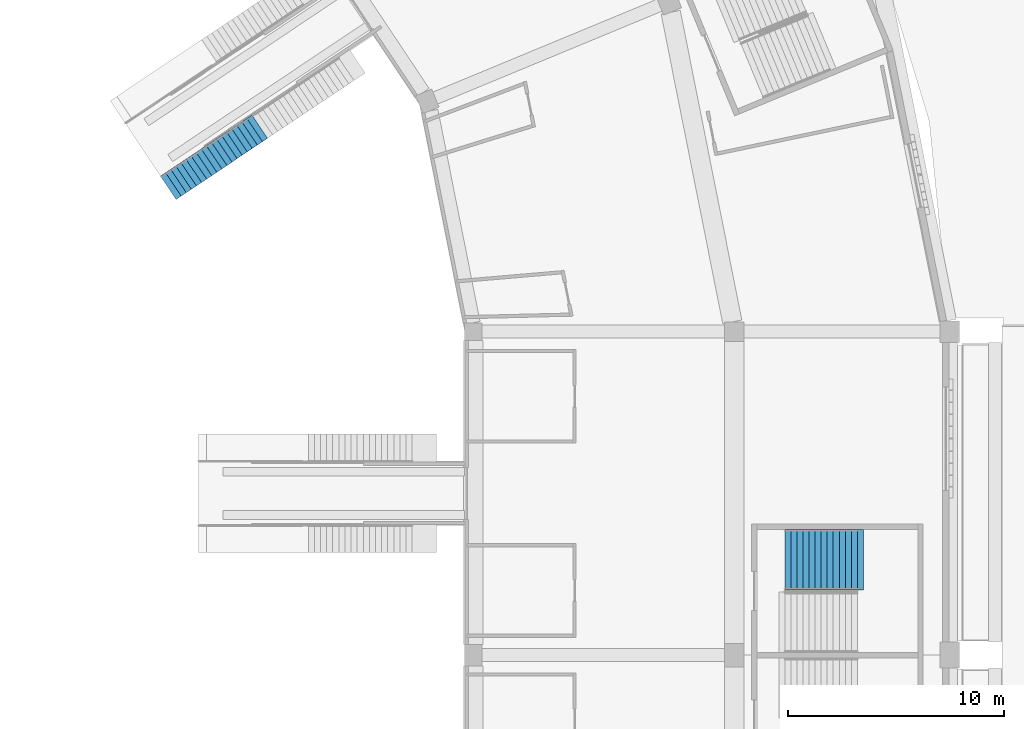
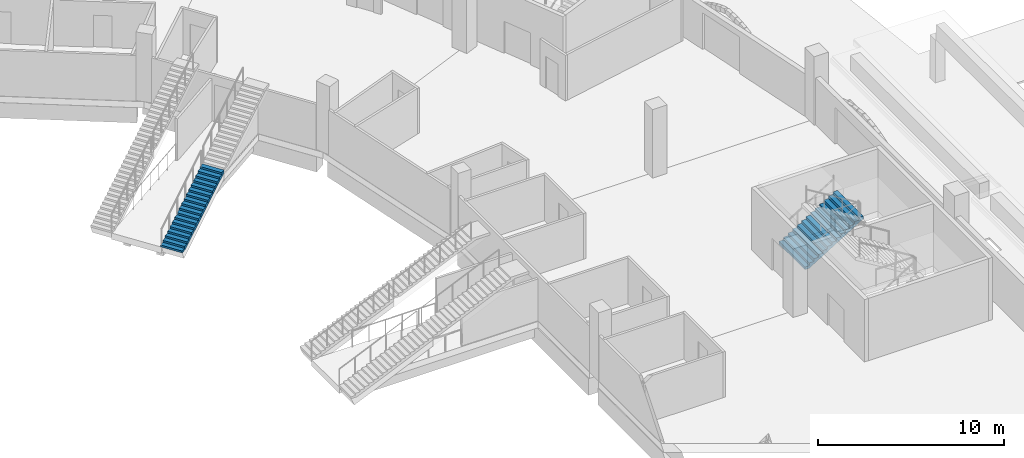
# One storey, part 144 of 175: 2 stair flights, 2 elements without a shape of their own.
"""IFC4 building model written with IfcOpenShell, lengths in metres."""

from ifc_helpers import new_model, si_unit, direction, frame, origin, place, context, subcontext, project, spatial, faceted_brep, material, type_object, element, aggregate, save


model = new_model("IFC4")

# Units and contexts
model_context = context("Model", 3, precision=1e-05, world=origin(), true_north=direction((0.0, 1.0)))
body_context = subcontext(model_context, "Body", "Model", "MODEL_VIEW")
ifc_project = project(units=[si_unit("LENGTHUNIT", "METRE"), si_unit("AREAUNIT", "SQUARE_METRE"), si_unit("VOLUMEUNIT", "CUBIC_METRE"), si_unit("PLANEANGLEUNIT", "RADIAN"), si_unit("MASSUNIT", "GRAM", prefix="KILO")], contexts=[model_context])

# Site, building, storey
site_placement = place(None, origin())
site = spatial("IfcSite", under=ifc_project, at=site_placement, CompositionType="ELEMENT")
building_placement = place(site_placement, origin())
building = spatial("IfcBuilding", under=site, at=building_placement, Name="Ogive Plaza Stadium", CompositionType="ELEMENT")
storey_placement = place(building_placement, origin())
storey = spatial("IfcBuildingStorey", under=building, at=storey_placement, Name="L00", CompositionType="ELEMENT", Elevation=0.0)

# Stair, stair flight
ifc_material_1 = material(Name="Concrete C40/50", Category="concrete")
stair_type_1 = type_object("IfcStairType", Name="Aisle stair", PredefinedType="STRAIGHT_RUN_STAIR", material=ifc_material_1)
stair_1_placement = place(storey_placement, origin())
stair_1 = element("IfcStair", 1, at=stair_1_placement, inside=storey, type_object=stair_type_1, Name="Aisle stair SA39L", PredefinedType="STRAIGHT_RUN_STAIR")
ifc_material_2 = material(Name="Concrete C40/50", Category="concrete")
stair_flight_type_1 = type_object("IfcStairFlightType", Name="Aisle stair flight", PredefinedType="STRAIGHT", material=ifc_material_2)
stair_flight_1_placement = place(storey_placement, frame((47.763427734375, 59.1708984375, 0.0), z_axis=(0.0, 0.0, 1.0), x_axis=(0.831469612303, 0.55557023302, 0.0)))
stair_flight_1 = element("IfcStairFlight", 2, at=stair_flight_1_placement, type_object=stair_flight_type_1, Name="SA39L flight 1", NumberOfRisers=18, NumberOfTreads=17, PredefinedType="STRAIGHT", RiserHeight=0.125, TreadLength=0.283333333, context=body_context, shape_type="Brep", body=[
    faceted_brep([(0.371337890625, -0.64990234375, 0.0), (5.10009765625, -0.64990234375, 2.086181640625), (5.10009765625, -0.64990234375, 2.25), (4.816650390625, -0.64990234375, 2.25), (4.816650390625, -0.64990234375, 2.125), (4.533447265625, -0.64990234375, 2.125), (4.533447265625, -0.64990234375, 2.0), (4.25, -0.64990234375, 2.0), (4.25, -0.64990234375, 1.875), (3.966552734375, -0.64990234375, 1.875), (3.966552734375, -0.64990234375, 1.75), (3.683349609375, -0.64990234375, 1.75), (3.683349609375, -0.64990234375, 1.625), (3.39990234375, -0.64990234375, 1.625), (3.39990234375, -0.64990234375, 1.5), (3.11669921875, -0.64990234375, 1.5), (3.11669921875, -0.64990234375, 1.375), (2.833251953125, -0.64990234375, 1.375), (2.833251953125, -0.64990234375, 1.25), (2.550048828125, -0.64990234375, 1.25), (2.550048828125, -0.64990234375, 1.125), (2.2666015625, -0.64990234375, 1.125), (2.2666015625, -0.64990234375, 1.0), (1.9833984375, -0.64990234375, 1.0), (1.9833984375, -0.64990234375, 0.875), (1.699951171875, -0.64990234375, 0.875), (1.699951171875, -0.64990234375, 0.75), (1.416748046875, -0.64990234375, 0.75), (1.416748046875, -0.64990234375, 0.625), (1.13330078125, -0.64990234375, 0.625), (1.13330078125, -0.64990234375, 0.5), (0.85009765625, -0.64990234375, 0.5), (0.85009765625, -0.64990234375, 0.375), (0.566650390625, -0.64990234375, 0.375), (0.566650390625, -0.64990234375, 0.25), (0.283447265625, -0.64990234375, 0.25), (0.283447265625, -0.64990234375, 0.125), (0.0, -0.64990234375, 0.125), (0.0, -0.64990234375, 0.0), (0.0, 0.64990234375, 0.0), (0.0, 0.64990234375, 0.125), (0.283447265625, 0.64990234375, 0.125), (0.283447265625, 0.64990234375, 0.25), (0.566650390625, 0.64990234375, 0.25), (0.566650390625, 0.64990234375, 0.375), (0.85009765625, 0.64990234375, 0.375), (0.85009765625, 0.64990234375, 0.5), (1.13330078125, 0.64990234375, 0.5), (1.13330078125, 0.64990234375, 0.625), (1.416748046875, 0.64990234375, 0.625), (1.416748046875, 0.64990234375, 0.75), (1.699951171875, 0.64990234375, 0.75), (1.699951171875, 0.64990234375, 0.875), (1.9833984375, 0.64990234375, 0.875), (1.9833984375, 0.64990234375, 1.0), (2.2666015625, 0.64990234375, 1.0), (2.2666015625, 0.64990234375, 1.125), (2.550048828125, 0.64990234375, 1.125), (2.550048828125, 0.64990234375, 1.25), (2.833251953125, 0.64990234375, 1.25), (2.833251953125, 0.64990234375, 1.375), (3.11669921875, 0.64990234375, 1.375), (3.11669921875, 0.64990234375, 1.5), (3.39990234375, 0.64990234375, 1.5), (3.39990234375, 0.64990234375, 1.625), (3.683349609375, 0.64990234375, 1.625), (3.683349609375, 0.64990234375, 1.75), (3.966552734375, 0.64990234375, 1.75), (3.966552734375, 0.64990234375, 1.875), (4.25, 0.64990234375, 1.875), (4.25, 0.64990234375, 2.0), (4.533447265625, 0.64990234375, 2.0), (4.533447265625, 0.64990234375, 2.125), (4.816650390625, 0.64990234375, 2.125), (4.816650390625, 0.64990234375, 2.25), (5.10009765625, 0.64990234375, 2.25), (5.10009765625, 0.64990234375, 2.086181640625), (0.371337890625, 0.64990234375, 0.0), (0.371337890625, -0.324951171875, 0.0), (5.10009765625, -0.324951171875, 2.086181640625), (0.371337890625, 0.0, 0.0), (5.10009765625, 0.0, 2.086181640625), (0.371337890625, 0.324951171875, 0.0), (5.10009765625, 0.324951171875, 2.086181640625), (5.10009765625, -0.324951171875, 2.25), (5.10009765625, 0.0, 2.25), (5.10009765625, 0.324951171875, 2.25), (4.816650390625, -0.324951171875, 2.25), (4.816650390625, 0.0, 2.25), (4.816650390625, 0.324951171875, 2.25), (4.816650390625, -0.324951171875, 2.125), (4.816650390625, 0.0, 2.125), (4.816650390625, 0.324951171875, 2.125), (4.533447265625, -0.324951171875, 2.125), (4.533447265625, 0.0, 2.125), (4.533447265625, 0.324951171875, 2.125), (4.533447265625, -0.324951171875, 2.0), (4.533447265625, 0.0, 2.0), (4.533447265625, 0.324951171875, 2.0), (4.25, -0.324951171875, 2.0), (4.25, 0.0, 2.0), (4.25, 0.324951171875, 2.0), (4.25, -0.324951171875, 1.875), (4.25, 0.0, 1.875), (4.25, 0.324951171875, 1.875), (3.966552734375, -0.324951171875, 1.875), (3.966552734375, 0.0, 1.875), (3.966552734375, 0.324951171875, 1.875), (3.966552734375, -0.324951171875, 1.75), (3.966552734375, 0.0, 1.75), (3.966552734375, 0.324951171875, 1.75), (3.683349609375, -0.324951171875, 1.75), (3.683349609375, 0.0, 1.75), (3.683349609375, 0.324951171875, 1.75), (3.683349609375, -0.324951171875, 1.625), (3.683349609375, 0.0, 1.625), (3.683349609375, 0.324951171875, 1.625), (3.39990234375, -0.324951171875, 1.625), (3.39990234375, 0.0, 1.625), (3.39990234375, 0.324951171875, 1.625), (3.39990234375, -0.324951171875, 1.5), (3.39990234375, 0.0, 1.5), (3.39990234375, 0.324951171875, 1.5), (3.11669921875, -0.324951171875, 1.5), (3.11669921875, 0.0, 1.5), (3.11669921875, 0.324951171875, 1.5), (3.11669921875, -0.324951171875, 1.375), (3.11669921875, 0.0, 1.375), (3.11669921875, 0.324951171875, 1.375), (2.833251953125, -0.324951171875, 1.375), (2.833251953125, 0.0, 1.375), (2.833251953125, 0.324951171875, 1.375), (2.833251953125, -0.324951171875, 1.25), (2.833251953125, 0.0, 1.25), (2.833251953125, 0.324951171875, 1.25), (2.550048828125, -0.324951171875, 1.25), (2.550048828125, 0.0, 1.25), (2.550048828125, 0.324951171875, 1.25), (2.550048828125, -0.324951171875, 1.125), (2.550048828125, 0.0, 1.125), (2.550048828125, 0.324951171875, 1.125), (2.2666015625, -0.324951171875, 1.125), (2.2666015625, 0.0, 1.125), (2.2666015625, 0.324951171875, 1.125), (2.2666015625, -0.324951171875, 1.0), (2.2666015625, 0.0, 1.0), (2.2666015625, 0.324951171875, 1.0), (1.9833984375, -0.324951171875, 1.0), (1.9833984375, 0.0, 1.0), (1.9833984375, 0.324951171875, 1.0), (1.9833984375, -0.324951171875, 0.875), (1.9833984375, 0.0, 0.875), (1.9833984375, 0.324951171875, 0.875), (1.699951171875, -0.324951171875, 0.875), (1.699951171875, 0.0, 0.875), (1.699951171875, 0.324951171875, 0.875), (1.699951171875, -0.324951171875, 0.75), (1.699951171875, 0.0, 0.75), (1.699951171875, 0.324951171875, 0.75), (1.416748046875, -0.324951171875, 0.75), (1.416748046875, 0.0, 0.75), (1.416748046875, 0.324951171875, 0.75), (1.416748046875, -0.324951171875, 0.625), (1.416748046875, 0.0, 0.625), (1.416748046875, 0.324951171875, 0.625), (1.13330078125, -0.324951171875, 0.625), (1.13330078125, 0.0, 0.625), (1.13330078125, 0.324951171875, 0.625), (1.13330078125, -0.324951171875, 0.5), (1.13330078125, 0.0, 0.5), (1.13330078125, 0.324951171875, 0.5), (0.85009765625, -0.324951171875, 0.5), (0.85009765625, 0.0, 0.5), (0.85009765625, 0.324951171875, 0.5), (0.85009765625, -0.324951171875, 0.375), (0.85009765625, 0.0, 0.375), (0.85009765625, 0.324951171875, 0.375), (0.566650390625, -0.324951171875, 0.375), (0.566650390625, 0.0, 0.375), (0.566650390625, 0.324951171875, 0.375), (0.566650390625, -0.324951171875, 0.25), (0.566650390625, 0.0, 0.25), (0.566650390625, 0.324951171875, 0.25), (0.283447265625, -0.324951171875, 0.25), (0.283447265625, 0.0, 0.25), (0.283447265625, 0.324951171875, 0.25), (0.283447265625, -0.324951171875, 0.125), (0.283447265625, 0.0, 0.125), (0.283447265625, 0.324951171875, 0.125), (0.0, -0.324951171875, 0.125), (0.0, 0.0, 0.125), (0.0, 0.324951171875, 0.125), (0.0, -0.324951171875, 0.0), (0.0, 0.0, 0.0), (0.0, 0.324951171875, 0.0)], [[[0, 1, 2, 3, 4, 5, 6, 7, 8, 9, 10, 11, 12, 13, 14, 15, 16, 17, 18, 19, 20, 21, 22, 23, 24, 25, 26, 27, 28, 29, 30, 31, 32, 33, 34, 35, 36, 37, 38]], [[39, 40, 41, 42, 43, 44, 45, 46, 47, 48, 49, 50, 51, 52, 53, 54, 55, 56, 57, 58, 59, 60, 61, 62, 63, 64, 65, 66, 67, 68, 69, 70, 71, 72, 73, 74, 75, 76, 77]], [[0, 78, 79, 1]], [[78, 80, 81, 79]], [[80, 82, 83, 81]], [[82, 77, 76, 83]], [[1, 79, 84, 2]], [[79, 81, 85, 84]], [[81, 83, 86, 85]], [[83, 76, 75, 86]], [[2, 84, 87, 3]], [[84, 85, 88, 87]], [[85, 86, 89, 88]], [[86, 75, 74, 89]], [[3, 87, 90, 4]], [[87, 88, 91, 90]], [[88, 89, 92, 91]], [[89, 74, 73, 92]], [[4, 90, 93, 5]], [[90, 91, 94, 93]], [[91, 92, 95, 94]], [[92, 73, 72, 95]], [[5, 93, 96, 6]], [[93, 94, 97, 96]], [[94, 95, 98, 97]], [[95, 72, 71, 98]], [[6, 96, 99, 7]], [[96, 97, 100, 99]], [[97, 98, 101, 100]], [[98, 71, 70, 101]], [[7, 99, 102, 8]], [[99, 100, 103, 102]], [[100, 101, 104, 103]], [[101, 70, 69, 104]], [[8, 102, 105, 9]], [[102, 103, 106, 105]], [[103, 104, 107, 106]], [[104, 69, 68, 107]], [[9, 105, 108, 10]], [[105, 106, 109, 108]], [[106, 107, 110, 109]], [[107, 68, 67, 110]], [[10, 108, 111, 11]], [[108, 109, 112, 111]], [[109, 110, 113, 112]], [[110, 67, 66, 113]], [[11, 111, 114, 12]], [[111, 112, 115, 114]], [[112, 113, 116, 115]], [[113, 66, 65, 116]], [[12, 114, 117, 13]], [[114, 115, 118, 117]], [[115, 116, 119, 118]], [[116, 65, 64, 119]], [[13, 117, 120, 14]], [[117, 118, 121, 120]], [[118, 119, 122, 121]], [[119, 64, 63, 122]], [[14, 120, 123, 15]], [[120, 121, 124, 123]], [[121, 122, 125, 124]], [[122, 63, 62, 125]], [[15, 123, 126, 16]], [[123, 124, 127, 126]], [[124, 125, 128, 127]], [[125, 62, 61, 128]], [[16, 126, 129, 17]], [[126, 127, 130, 129]], [[127, 128, 131, 130]], [[128, 61, 60, 131]], [[17, 129, 132, 18]], [[129, 130, 133, 132]], [[130, 131, 134, 133]], [[131, 60, 59, 134]], [[18, 132, 135, 19]], [[132, 133, 136, 135]], [[133, 134, 137, 136]], [[134, 59, 58, 137]], [[19, 135, 138, 20]], [[135, 136, 139, 138]], [[136, 137, 140, 139]], [[137, 58, 57, 140]], [[20, 138, 141, 21]], [[138, 139, 142, 141]], [[139, 140, 143, 142]], [[140, 57, 56, 143]], [[21, 141, 144, 22]], [[141, 142, 145, 144]], [[142, 143, 146, 145]], [[143, 56, 55, 146]], [[22, 144, 147, 23]], [[144, 145, 148, 147]], [[145, 146, 149, 148]], [[146, 55, 54, 149]], [[23, 147, 150, 24]], [[147, 148, 151, 150]], [[148, 149, 152, 151]], [[149, 54, 53, 152]], [[24, 150, 153, 25]], [[150, 151, 154, 153]], [[151, 152, 155, 154]], [[152, 53, 52, 155]], [[25, 153, 156, 26]], [[153, 154, 157, 156]], [[154, 155, 158, 157]], [[155, 52, 51, 158]], [[26, 156, 159, 27]], [[156, 157, 160, 159]], [[157, 158, 161, 160]], [[158, 51, 50, 161]], [[27, 159, 162, 28]], [[159, 160, 163, 162]], [[160, 161, 164, 163]], [[161, 50, 49, 164]], [[28, 162, 165, 29]], [[162, 163, 166, 165]], [[163, 164, 167, 166]], [[164, 49, 48, 167]], [[29, 165, 168, 30]], [[165, 166, 169, 168]], [[166, 167, 170, 169]], [[167, 48, 47, 170]], [[30, 168, 171, 31]], [[168, 169, 172, 171]], [[169, 170, 173, 172]], [[170, 47, 46, 173]], [[31, 171, 174, 32]], [[171, 172, 175, 174]], [[172, 173, 176, 175]], [[173, 46, 45, 176]], [[32, 174, 177, 33]], [[174, 175, 178, 177]], [[175, 176, 179, 178]], [[176, 45, 44, 179]], [[33, 177, 180, 34]], [[177, 178, 181, 180]], [[178, 179, 182, 181]], [[179, 44, 43, 182]], [[34, 180, 183, 35]], [[180, 181, 184, 183]], [[181, 182, 185, 184]], [[182, 43, 42, 185]], [[35, 183, 186, 36]], [[183, 184, 187, 186]], [[184, 185, 188, 187]], [[185, 42, 41, 188]], [[36, 186, 189, 37]], [[186, 187, 190, 189]], [[187, 188, 191, 190]], [[188, 41, 40, 191]], [[37, 189, 192, 38]], [[189, 190, 193, 192]], [[190, 191, 194, 193]], [[191, 40, 39, 194]], [[38, 192, 78, 0]], [[192, 193, 80, 78]], [[193, 194, 82, 80]], [[194, 39, 77, 82]]]),
])
aggregate(stair_1, [stair_flight_1])

ifc_material_3 = material(Name="Concrete C40/50", Category="concrete")
stair_type_2 = type_object("IfcStairType", Name="Exit stair", PredefinedType="STRAIGHT_RUN_STAIR", material=ifc_material_3)
stair_2_placement = place(storey_placement, origin())
stair_2 = element("IfcStair", 3, at=stair_2_placement, inside=storey, type_object=stair_type_2, Name="Exit stair ST02B L00 to L01", PredefinedType="STRAIGHT_RUN_STAIR")
ifc_material_4 = material(Name="Concrete C40/50", Category="concrete")
stair_flight_type_2 = type_object("IfcStairFlightType", Name="Exit stair flight", PredefinedType="STRAIGHT", material=ifc_material_4)
stair_flight_2_placement = place(storey_placement, frame((76.35009765625, 41.925048828125, 0.0), z_axis=(0.0, 0.0, 1.0), x_axis=(1.0, 0.0, 0.0)))
stair_flight_2 = element("IfcStairFlight", 4, at=stair_flight_2_placement, type_object=stair_flight_type_2, Name="ST02B flight 1", NumberOfRisers=13, NumberOfTreads=12, PredefinedType="STRAIGHT", RiserHeight=0.173076923, TreadLength=0.28, context=body_context, shape_type="Brep", body=[
    faceted_brep([(0.28515625, -1.39990234375, 0.0), (3.639892578125, -1.39990234375, 2.07373046875), (3.639892578125, -1.39990234375, 2.25), (3.360107421875, -1.39990234375, 2.25), (3.360107421875, -1.39990234375, 2.076904296875), (3.080078125, -1.39990234375, 2.076904296875), (3.080078125, -1.39990234375, 1.90380859375), (2.800048828125, -1.39990234375, 1.90380859375), (2.800048828125, -1.39990234375, 1.730712890625), (2.52001953125, -1.39990234375, 1.730712890625), (2.52001953125, -1.39990234375, 1.5576171875), (2.239990234375, -1.39990234375, 1.5576171875), (2.239990234375, -1.39990234375, 1.384521484375), (1.9599609375, -1.39990234375, 1.384521484375), (1.9599609375, -1.39990234375, 1.21142578125), (1.679931640625, -1.39990234375, 1.21142578125), (1.679931640625, -1.39990234375, 1.03857421875), (1.39990234375, -1.39990234375, 1.03857421875), (1.39990234375, -1.39990234375, 0.865478515625), (1.1201171875, -1.39990234375, 0.865478515625), (1.1201171875, -1.39990234375, 0.6923828125), (0.840087890625, -1.39990234375, 0.6923828125), (0.840087890625, -1.39990234375, 0.519287109375), (0.56005859375, -1.39990234375, 0.519287109375), (0.56005859375, -1.39990234375, 0.34619140625), (0.280029296875, -1.39990234375, 0.34619140625), (0.280029296875, -1.39990234375, 0.173095703125), (0.0, -1.39990234375, 0.173095703125), (0.0, -1.39990234375, 0.0), (0.0, 1.39990234375, 0.0), (0.0, 1.39990234375, 0.173095703125), (0.280029296875, 1.39990234375, 0.173095703125), (0.280029296875, 1.39990234375, 0.34619140625), (0.56005859375, 1.39990234375, 0.34619140625), (0.56005859375, 1.39990234375, 0.519287109375), (0.840087890625, 1.39990234375, 0.519287109375), (0.840087890625, 1.39990234375, 0.6923828125), (1.1201171875, 1.39990234375, 0.6923828125), (1.1201171875, 1.39990234375, 0.865478515625), (1.39990234375, 1.39990234375, 0.865478515625), (1.39990234375, 1.39990234375, 1.03857421875), (1.679931640625, 1.39990234375, 1.03857421875), (1.679931640625, 1.39990234375, 1.21142578125), (1.9599609375, 1.39990234375, 1.21142578125), (1.9599609375, 1.39990234375, 1.384521484375), (2.239990234375, 1.39990234375, 1.384521484375), (2.239990234375, 1.39990234375, 1.5576171875), (2.52001953125, 1.39990234375, 1.5576171875), (2.52001953125, 1.39990234375, 1.730712890625), (2.800048828125, 1.39990234375, 1.730712890625), (2.800048828125, 1.39990234375, 1.90380859375), (3.080078125, 1.39990234375, 1.90380859375), (3.080078125, 1.39990234375, 2.076904296875), (3.360107421875, 1.39990234375, 2.076904296875), (3.360107421875, 1.39990234375, 2.25), (3.639892578125, 1.39990234375, 2.25), (3.639892578125, 1.39990234375, 2.07373046875), (0.28515625, 1.39990234375, 0.0), (0.28515625, -1.0888671875, 0.0), (3.639892578125, -1.0888671875, 2.07373046875), (0.28515625, -0.77783203125, 0.0), (3.639892578125, -0.77783203125, 2.07373046875), (0.28515625, -0.466796875, 0.0), (3.639892578125, -0.466796875, 2.07373046875), (0.28515625, -0.155517578125, 0.0), (3.639892578125, -0.155517578125, 2.07373046875), (0.28515625, 0.155517578125, 0.0), (3.639892578125, 0.155517578125, 2.07373046875), (0.28515625, 0.466796875, 0.0), (3.639892578125, 0.466796875, 2.07373046875), (0.28515625, 0.77783203125, 0.0), (3.639892578125, 0.77783203125, 2.07373046875), (0.28515625, 1.0888671875, 0.0), (3.639892578125, 1.0888671875, 2.07373046875), (3.639892578125, -1.0888671875, 2.25), (3.639892578125, -0.77783203125, 2.25), (3.639892578125, -0.466796875, 2.25), (3.639892578125, -0.155517578125, 2.25), (3.639892578125, 0.155517578125, 2.25), (3.639892578125, 0.466796875, 2.25), (3.639892578125, 0.77783203125, 2.25), (3.639892578125, 1.0888671875, 2.25), (3.360107421875, -1.0888671875, 2.25), (3.360107421875, -0.77783203125, 2.25), (3.360107421875, -0.466796875, 2.25), (3.360107421875, -0.155517578125, 2.25), (3.360107421875, 0.155517578125, 2.25), (3.360107421875, 0.466796875, 2.25), (3.360107421875, 0.77783203125, 2.25), (3.360107421875, 1.0888671875, 2.25), (3.360107421875, -1.0888671875, 2.076904296875), (3.360107421875, -0.77783203125, 2.076904296875), (3.360107421875, -0.466796875, 2.076904296875), (3.360107421875, -0.155517578125, 2.076904296875), (3.360107421875, 0.155517578125, 2.076904296875), (3.360107421875, 0.466796875, 2.076904296875), (3.360107421875, 0.77783203125, 2.076904296875), (3.360107421875, 1.0888671875, 2.076904296875), (3.080078125, -1.0888671875, 2.076904296875), (3.080078125, -0.77783203125, 2.076904296875), (3.080078125, -0.466796875, 2.076904296875), (3.080078125, -0.155517578125, 2.076904296875), (3.080078125, 0.155517578125, 2.076904296875), (3.080078125, 0.466796875, 2.076904296875), (3.080078125, 0.77783203125, 2.076904296875), (3.080078125, 1.0888671875, 2.076904296875), (3.080078125, -1.0888671875, 1.90380859375), (3.080078125, -0.77783203125, 1.90380859375), (3.080078125, -0.466796875, 1.90380859375), (3.080078125, -0.155517578125, 1.90380859375), (3.080078125, 0.155517578125, 1.90380859375), (3.080078125, 0.466796875, 1.90380859375), (3.080078125, 0.77783203125, 1.90380859375), (3.080078125, 1.0888671875, 1.90380859375), (2.800048828125, -1.0888671875, 1.90380859375), (2.800048828125, -0.77783203125, 1.90380859375), (2.800048828125, -0.466796875, 1.90380859375), (2.800048828125, -0.155517578125, 1.90380859375), (2.800048828125, 0.155517578125, 1.90380859375), (2.800048828125, 0.466796875, 1.90380859375), (2.800048828125, 0.77783203125, 1.90380859375), (2.800048828125, 1.0888671875, 1.90380859375), (2.800048828125, -1.0888671875, 1.730712890625), (2.800048828125, -0.77783203125, 1.730712890625), (2.800048828125, -0.466796875, 1.730712890625), (2.800048828125, -0.155517578125, 1.730712890625), (2.800048828125, 0.155517578125, 1.730712890625), (2.800048828125, 0.466796875, 1.730712890625), (2.800048828125, 0.77783203125, 1.730712890625), (2.800048828125, 1.0888671875, 1.730712890625), (2.52001953125, -1.0888671875, 1.730712890625), (2.52001953125, -0.77783203125, 1.730712890625), (2.52001953125, -0.466796875, 1.730712890625), (2.52001953125, -0.155517578125, 1.730712890625), (2.52001953125, 0.155517578125, 1.730712890625), (2.52001953125, 0.466796875, 1.730712890625), (2.52001953125, 0.77783203125, 1.730712890625), (2.52001953125, 1.0888671875, 1.730712890625), (2.52001953125, -1.0888671875, 1.5576171875), (2.52001953125, -0.77783203125, 1.5576171875), (2.52001953125, -0.466796875, 1.5576171875), (2.52001953125, -0.155517578125, 1.5576171875), (2.52001953125, 0.155517578125, 1.5576171875), (2.52001953125, 0.466796875, 1.5576171875), (2.52001953125, 0.77783203125, 1.5576171875), (2.52001953125, 1.0888671875, 1.5576171875), (2.239990234375, -1.0888671875, 1.5576171875), (2.239990234375, -0.77783203125, 1.5576171875), (2.239990234375, -0.466796875, 1.5576171875), (2.239990234375, -0.155517578125, 1.5576171875), (2.239990234375, 0.155517578125, 1.5576171875), (2.239990234375, 0.466796875, 1.5576171875), (2.239990234375, 0.77783203125, 1.5576171875), (2.239990234375, 1.0888671875, 1.5576171875), (2.239990234375, -1.0888671875, 1.384521484375), (2.239990234375, -0.77783203125, 1.384521484375), (2.239990234375, -0.466796875, 1.384521484375), (2.239990234375, -0.155517578125, 1.384521484375), (2.239990234375, 0.155517578125, 1.384521484375), (2.239990234375, 0.466796875, 1.384521484375), (2.239990234375, 0.77783203125, 1.384521484375), (2.239990234375, 1.0888671875, 1.384521484375), (1.9599609375, -1.0888671875, 1.384521484375), (1.9599609375, -0.77783203125, 1.384521484375), (1.9599609375, -0.466796875, 1.384521484375), (1.9599609375, -0.155517578125, 1.384521484375), (1.9599609375, 0.155517578125, 1.384521484375), (1.9599609375, 0.466796875, 1.384521484375), (1.9599609375, 0.77783203125, 1.384521484375), (1.9599609375, 1.0888671875, 1.384521484375), (1.9599609375, -1.0888671875, 1.21142578125), (1.9599609375, -0.77783203125, 1.21142578125), (1.9599609375, -0.466796875, 1.21142578125), (1.9599609375, -0.155517578125, 1.21142578125), (1.9599609375, 0.155517578125, 1.21142578125), (1.9599609375, 0.466796875, 1.21142578125), (1.9599609375, 0.77783203125, 1.21142578125), (1.9599609375, 1.0888671875, 1.21142578125), (1.679931640625, -1.0888671875, 1.21142578125), (1.679931640625, -0.77783203125, 1.21142578125), (1.679931640625, -0.466796875, 1.21142578125), (1.679931640625, -0.155517578125, 1.21142578125), (1.679931640625, 0.155517578125, 1.21142578125), (1.679931640625, 0.466796875, 1.21142578125), (1.679931640625, 0.77783203125, 1.21142578125), (1.679931640625, 1.0888671875, 1.21142578125), (1.679931640625, -1.0888671875, 1.03857421875), (1.679931640625, -0.77783203125, 1.03857421875), (1.679931640625, -0.466796875, 1.03857421875), (1.679931640625, -0.155517578125, 1.03857421875), (1.679931640625, 0.155517578125, 1.03857421875), (1.679931640625, 0.466796875, 1.03857421875), (1.679931640625, 0.77783203125, 1.03857421875), (1.679931640625, 1.0888671875, 1.03857421875), (1.39990234375, -1.0888671875, 1.03857421875), (1.39990234375, -0.77783203125, 1.03857421875), (1.39990234375, -0.466796875, 1.03857421875), (1.39990234375, -0.155517578125, 1.03857421875), (1.39990234375, 0.155517578125, 1.03857421875), (1.39990234375, 0.466796875, 1.03857421875), (1.39990234375, 0.77783203125, 1.03857421875), (1.39990234375, 1.0888671875, 1.03857421875), (1.39990234375, -1.0888671875, 0.865478515625), (1.39990234375, -0.77783203125, 0.865478515625), (1.39990234375, -0.466796875, 0.865478515625), (1.39990234375, -0.155517578125, 0.865478515625), (1.39990234375, 0.155517578125, 0.865478515625), (1.39990234375, 0.466796875, 0.865478515625), (1.39990234375, 0.77783203125, 0.865478515625), (1.39990234375, 1.0888671875, 0.865478515625), (1.1201171875, -1.0888671875, 0.865478515625), (1.1201171875, -0.77783203125, 0.865478515625), (1.1201171875, -0.466796875, 0.865478515625), (1.1201171875, -0.155517578125, 0.865478515625), (1.1201171875, 0.155517578125, 0.865478515625), (1.1201171875, 0.466796875, 0.865478515625), (1.1201171875, 0.77783203125, 0.865478515625), (1.1201171875, 1.0888671875, 0.865478515625), (1.1201171875, -1.0888671875, 0.6923828125), (1.1201171875, -0.77783203125, 0.6923828125), (1.1201171875, -0.466796875, 0.6923828125), (1.1201171875, -0.155517578125, 0.6923828125), (1.1201171875, 0.155517578125, 0.6923828125), (1.1201171875, 0.466796875, 0.6923828125), (1.1201171875, 0.77783203125, 0.6923828125), (1.1201171875, 1.0888671875, 0.6923828125), (0.840087890625, -1.0888671875, 0.6923828125), (0.840087890625, -0.77783203125, 0.6923828125), (0.840087890625, -0.466796875, 0.6923828125), (0.840087890625, -0.155517578125, 0.6923828125), (0.840087890625, 0.155517578125, 0.6923828125), (0.840087890625, 0.466796875, 0.6923828125), (0.840087890625, 0.77783203125, 0.6923828125), (0.840087890625, 1.0888671875, 0.6923828125), (0.840087890625, -1.0888671875, 0.519287109375), (0.840087890625, -0.77783203125, 0.519287109375), (0.840087890625, -0.466796875, 0.519287109375), (0.840087890625, -0.155517578125, 0.519287109375), (0.840087890625, 0.155517578125, 0.519287109375), (0.840087890625, 0.466796875, 0.519287109375), (0.840087890625, 0.77783203125, 0.519287109375), (0.840087890625, 1.0888671875, 0.519287109375), (0.56005859375, -1.0888671875, 0.519287109375), (0.56005859375, -0.77783203125, 0.519287109375), (0.56005859375, -0.466796875, 0.519287109375), (0.56005859375, -0.155517578125, 0.519287109375), (0.56005859375, 0.155517578125, 0.519287109375), (0.56005859375, 0.466796875, 0.519287109375), (0.56005859375, 0.77783203125, 0.519287109375), (0.56005859375, 1.0888671875, 0.519287109375), (0.56005859375, -1.0888671875, 0.34619140625), (0.56005859375, -0.77783203125, 0.34619140625), (0.56005859375, -0.466796875, 0.34619140625), (0.56005859375, -0.155517578125, 0.34619140625), (0.56005859375, 0.155517578125, 0.34619140625), (0.56005859375, 0.466796875, 0.34619140625), (0.56005859375, 0.77783203125, 0.34619140625), (0.56005859375, 1.0888671875, 0.34619140625), (0.280029296875, -1.0888671875, 0.34619140625), (0.280029296875, -0.77783203125, 0.34619140625), (0.280029296875, -0.466796875, 0.34619140625), (0.280029296875, -0.155517578125, 0.34619140625), (0.280029296875, 0.155517578125, 0.34619140625), (0.280029296875, 0.466796875, 0.34619140625), (0.280029296875, 0.77783203125, 0.34619140625), (0.280029296875, 1.0888671875, 0.34619140625), (0.280029296875, -1.0888671875, 0.173095703125), (0.280029296875, -0.77783203125, 0.173095703125), (0.280029296875, -0.466796875, 0.173095703125), (0.280029296875, -0.155517578125, 0.173095703125), (0.280029296875, 0.155517578125, 0.173095703125), (0.280029296875, 0.466796875, 0.173095703125), (0.280029296875, 0.77783203125, 0.173095703125), (0.280029296875, 1.0888671875, 0.173095703125), (0.0, -1.0888671875, 0.173095703125), (0.0, -0.77783203125, 0.173095703125), (0.0, -0.466796875, 0.173095703125), (0.0, -0.155517578125, 0.173095703125), (0.0, 0.155517578125, 0.173095703125), (0.0, 0.466796875, 0.173095703125), (0.0, 0.77783203125, 0.173095703125), (0.0, 1.0888671875, 0.173095703125), (0.0, -1.0888671875, 0.0), (0.0, -0.77783203125, 0.0), (0.0, -0.466796875, 0.0), (0.0, -0.155517578125, 0.0), (0.0, 0.155517578125, 0.0), (0.0, 0.466796875, 0.0), (0.0, 0.77783203125, 0.0), (0.0, 1.0888671875, 0.0)], [[[0, 1, 2, 3, 4, 5, 6, 7, 8, 9, 10, 11, 12, 13, 14, 15, 16, 17, 18, 19, 20, 21, 22, 23, 24, 25, 26, 27, 28]], [[29, 30, 31, 32, 33, 34, 35, 36, 37, 38, 39, 40, 41, 42, 43, 44, 45, 46, 47, 48, 49, 50, 51, 52, 53, 54, 55, 56, 57]], [[0, 58, 59, 1]], [[58, 60, 61, 59]], [[60, 62, 63, 61]], [[62, 64, 65, 63]], [[64, 66, 67, 65]], [[66, 68, 69, 67]], [[68, 70, 71, 69]], [[70, 72, 73, 71]], [[72, 57, 56, 73]], [[1, 59, 74, 2]], [[59, 61, 75, 74]], [[61, 63, 76, 75]], [[63, 65, 77, 76]], [[65, 67, 78, 77]], [[67, 69, 79, 78]], [[69, 71, 80, 79]], [[71, 73, 81, 80]], [[73, 56, 55, 81]], [[2, 74, 82, 3]], [[74, 75, 83, 82]], [[75, 76, 84, 83]], [[76, 77, 85, 84]], [[77, 78, 86, 85]], [[78, 79, 87, 86]], [[79, 80, 88, 87]], [[80, 81, 89, 88]], [[81, 55, 54, 89]], [[3, 82, 90, 4]], [[82, 83, 91, 90]], [[83, 84, 92, 91]], [[84, 85, 93, 92]], [[85, 86, 94, 93]], [[86, 87, 95, 94]], [[87, 88, 96, 95]], [[88, 89, 97, 96]], [[89, 54, 53, 97]], [[4, 90, 98, 5]], [[90, 91, 99, 98]], [[91, 92, 100, 99]], [[92, 93, 101, 100]], [[93, 94, 102, 101]], [[94, 95, 103, 102]], [[95, 96, 104, 103]], [[96, 97, 105, 104]], [[97, 53, 52, 105]], [[5, 98, 106, 6]], [[98, 99, 107, 106]], [[99, 100, 108, 107]], [[100, 101, 109, 108]], [[101, 102, 110, 109]], [[102, 103, 111, 110]], [[103, 104, 112, 111]], [[104, 105, 113, 112]], [[105, 52, 51, 113]], [[6, 106, 114, 7]], [[106, 107, 115, 114]], [[107, 108, 116, 115]], [[108, 109, 117, 116]], [[109, 110, 118, 117]], [[110, 111, 119, 118]], [[111, 112, 120, 119]], [[112, 113, 121, 120]], [[113, 51, 50, 121]], [[7, 114, 122, 8]], [[114, 115, 123, 122]], [[115, 116, 124, 123]], [[116, 117, 125, 124]], [[117, 118, 126, 125]], [[118, 119, 127, 126]], [[119, 120, 128, 127]], [[120, 121, 129, 128]], [[121, 50, 49, 129]], [[8, 122, 130, 9]], [[122, 123, 131, 130]], [[123, 124, 132, 131]], [[124, 125, 133, 132]], [[125, 126, 134, 133]], [[126, 127, 135, 134]], [[127, 128, 136, 135]], [[128, 129, 137, 136]], [[129, 49, 48, 137]], [[9, 130, 138, 10]], [[130, 131, 139, 138]], [[131, 132, 140, 139]], [[132, 133, 141, 140]], [[133, 134, 142, 141]], [[134, 135, 143, 142]], [[135, 136, 144, 143]], [[136, 137, 145, 144]], [[137, 48, 47, 145]], [[10, 138, 146, 11]], [[138, 139, 147, 146]], [[139, 140, 148, 147]], [[140, 141, 149, 148]], [[141, 142, 150, 149]], [[142, 143, 151, 150]], [[143, 144, 152, 151]], [[144, 145, 153, 152]], [[145, 47, 46, 153]], [[11, 146, 154, 12]], [[146, 147, 155, 154]], [[147, 148, 156, 155]], [[148, 149, 157, 156]], [[149, 150, 158, 157]], [[150, 151, 159, 158]], [[151, 152, 160, 159]], [[152, 153, 161, 160]], [[153, 46, 45, 161]], [[12, 154, 162, 13]], [[154, 155, 163, 162]], [[155, 156, 164, 163]], [[156, 157, 165, 164]], [[157, 158, 166, 165]], [[158, 159, 167, 166]], [[159, 160, 168, 167]], [[160, 161, 169, 168]], [[161, 45, 44, 169]], [[13, 162, 170, 14]], [[162, 163, 171, 170]], [[163, 164, 172, 171]], [[164, 165, 173, 172]], [[165, 166, 174, 173]], [[166, 167, 175, 174]], [[167, 168, 176, 175]], [[168, 169, 177, 176]], [[169, 44, 43, 177]], [[14, 170, 178, 15]], [[170, 171, 179, 178]], [[171, 172, 180, 179]], [[172, 173, 181, 180]], [[173, 174, 182, 181]], [[174, 175, 183, 182]], [[175, 176, 184, 183]], [[176, 177, 185, 184]], [[177, 43, 42, 185]], [[15, 178, 186, 16]], [[178, 179, 187, 186]], [[179, 180, 188, 187]], [[180, 181, 189, 188]], [[181, 182, 190, 189]], [[182, 183, 191, 190]], [[183, 184, 192, 191]], [[184, 185, 193, 192]], [[185, 42, 41, 193]], [[16, 186, 194, 17]], [[186, 187, 195, 194]], [[187, 188, 196, 195]], [[188, 189, 197, 196]], [[189, 190, 198, 197]], [[190, 191, 199, 198]], [[191, 192, 200, 199]], [[192, 193, 201, 200]], [[193, 41, 40, 201]], [[17, 194, 202, 18]], [[194, 195, 203, 202]], [[195, 196, 204, 203]], [[196, 197, 205, 204]], [[197, 198, 206, 205]], [[198, 199, 207, 206]], [[199, 200, 208, 207]], [[200, 201, 209, 208]], [[201, 40, 39, 209]], [[18, 202, 210, 19]], [[202, 203, 211, 210]], [[203, 204, 212, 211]], [[204, 205, 213, 212]], [[205, 206, 214, 213]], [[206, 207, 215, 214]], [[207, 208, 216, 215]], [[208, 209, 217, 216]], [[209, 39, 38, 217]], [[19, 210, 218, 20]], [[210, 211, 219, 218]], [[211, 212, 220, 219]], [[212, 213, 221, 220]], [[213, 214, 222, 221]], [[214, 215, 223, 222]], [[215, 216, 224, 223]], [[216, 217, 225, 224]], [[217, 38, 37, 225]], [[20, 218, 226, 21]], [[218, 219, 227, 226]], [[219, 220, 228, 227]], [[220, 221, 229, 228]], [[221, 222, 230, 229]], [[222, 223, 231, 230]], [[223, 224, 232, 231]], [[224, 225, 233, 232]], [[225, 37, 36, 233]], [[21, 226, 234, 22]], [[226, 227, 235, 234]], [[227, 228, 236, 235]], [[228, 229, 237, 236]], [[229, 230, 238, 237]], [[230, 231, 239, 238]], [[231, 232, 240, 239]], [[232, 233, 241, 240]], [[233, 36, 35, 241]], [[22, 234, 242, 23]], [[234, 235, 243, 242]], [[235, 236, 244, 243]], [[236, 237, 245, 244]], [[237, 238, 246, 245]], [[238, 239, 247, 246]], [[239, 240, 248, 247]], [[240, 241, 249, 248]], [[241, 35, 34, 249]], [[23, 242, 250, 24]], [[242, 243, 251, 250]], [[243, 244, 252, 251]], [[244, 245, 253, 252]], [[245, 246, 254, 253]], [[246, 247, 255, 254]], [[247, 248, 256, 255]], [[248, 249, 257, 256]], [[249, 34, 33, 257]], [[24, 250, 258, 25]], [[250, 251, 259, 258]], [[251, 252, 260, 259]], [[252, 253, 261, 260]], [[253, 254, 262, 261]], [[254, 255, 263, 262]], [[255, 256, 264, 263]], [[256, 257, 265, 264]], [[257, 33, 32, 265]], [[25, 258, 266, 26]], [[258, 259, 267, 266]], [[259, 260, 268, 267]], [[260, 261, 269, 268]], [[261, 262, 270, 269]], [[262, 263, 271, 270]], [[263, 264, 272, 271]], [[264, 265, 273, 272]], [[265, 32, 31, 273]], [[26, 266, 274, 27]], [[266, 267, 275, 274]], [[267, 268, 276, 275]], [[268, 269, 277, 276]], [[269, 270, 278, 277]], [[270, 271, 279, 278]], [[271, 272, 280, 279]], [[272, 273, 281, 280]], [[273, 31, 30, 281]], [[27, 274, 282, 28]], [[274, 275, 283, 282]], [[275, 276, 284, 283]], [[276, 277, 285, 284]], [[277, 278, 286, 285]], [[278, 279, 287, 286]], [[279, 280, 288, 287]], [[280, 281, 289, 288]], [[281, 30, 29, 289]], [[28, 282, 58, 0]], [[282, 283, 60, 58]], [[283, 284, 62, 60]], [[284, 285, 64, 62]], [[285, 286, 66, 64]], [[286, 287, 68, 66]], [[287, 288, 70, 68]], [[288, 289, 72, 70]], [[289, 29, 57, 72]]]),
])
aggregate(stair_2, [stair_flight_2])

save(model, "model.ifc")
